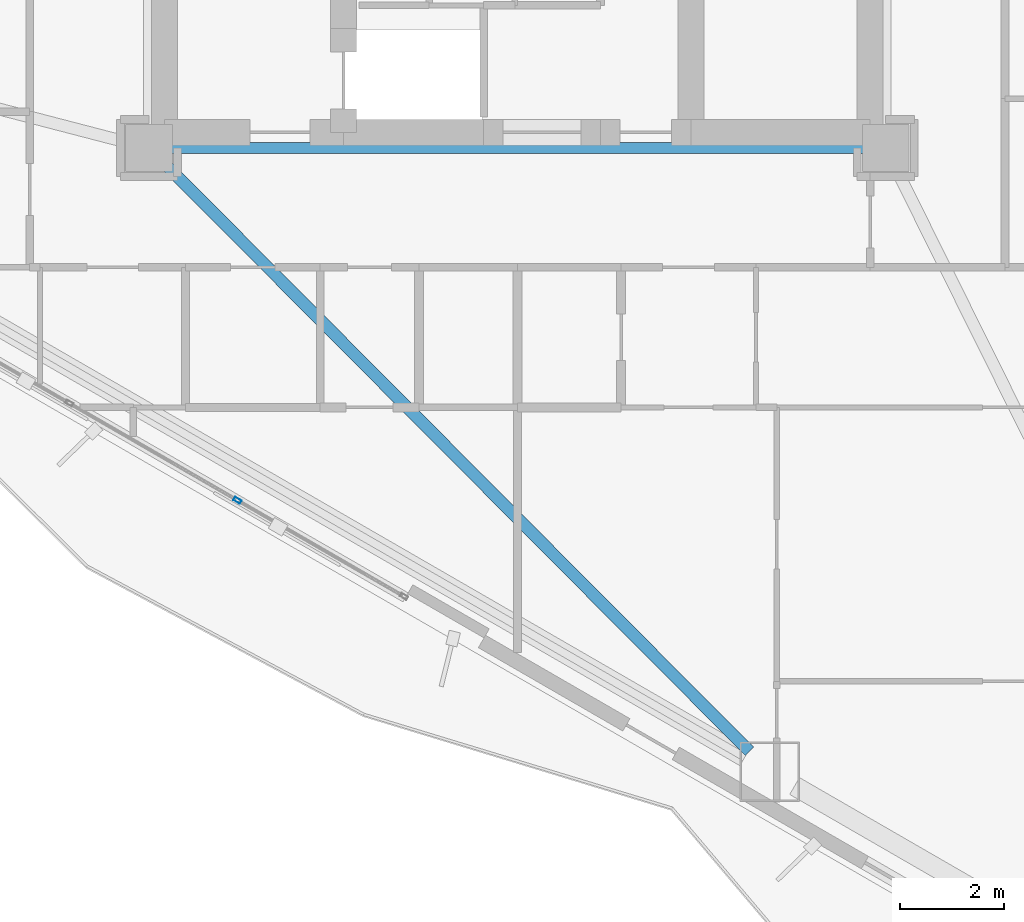
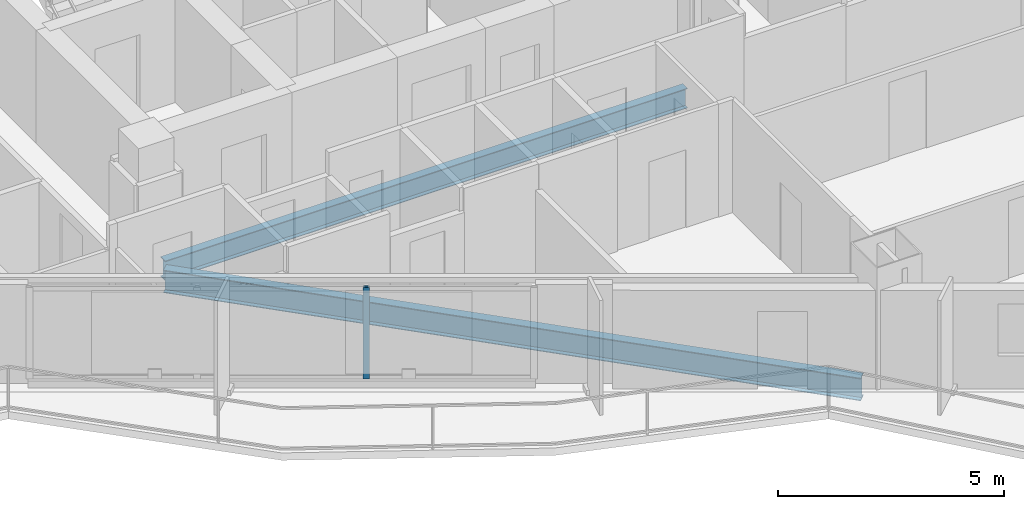
# One storey, part 4 of 23: 2 beams, 1 member, 1 element without a shape of its own.
"""IFC4 building model written with IfcOpenShell, lengths in metres."""

from ifc_helpers import new_model, si_unit, direction, frame, origin, origin_2d, place, context, subcontext, project, spatial, hollow_rectangle, i_section, extrude, material, layer, layer_set, material_profile, profile_set, type_object, element, aggregate, save


model = new_model("IFC4")

# Units and contexts
model_context = context("Model", 3, precision=1e-05, world=origin(), true_north=direction((0.0, 1.0)))
body_context = subcontext(model_context, "Body", "Model", "MODEL_VIEW")
ifc_project = project(units=[si_unit("LENGTHUNIT", "METRE"), si_unit("AREAUNIT", "SQUARE_METRE"), si_unit("VOLUMEUNIT", "CUBIC_METRE"), si_unit("PLANEANGLEUNIT", "RADIAN"), si_unit("MASSUNIT", "GRAM", prefix="KILO")], contexts=[model_context])

# Site, building, storey
site_placement = place(None, origin())
site = spatial("IfcSite", under=ifc_project, at=site_placement, CompositionType="ELEMENT")
building_placement = place(site_placement, origin())
building = spatial("IfcBuilding", under=site, at=building_placement, Name="Mersakhor Tower and Convention Hall", CompositionType="ELEMENT")
storey_placement = place(building_placement, frame((0.0, 0.0, 80.10009765625)))
storey = spatial("IfcBuildingStorey", under=building, at=storey_placement, Name="L21", CompositionType="ELEMENT", Elevation=80.10009765625)

# Beams
ifc_material_1 = material(Name="Steel S355", Category="steel")
ifc_material_profile_1 = material_profile(ifc_material_1, i_section(OverallWidth=0.2099609375, OverallDepth=0.53662109375, WebThickness=0.0107421875, FlangeThickness=0.017333984375, at=origin_2d()), Name="UB 533x210x101")
ifc_profile_set_1 = profile_set([ifc_material_profile_1], Name="Steel S355")
beam_type_1 = type_object("IfcBeamType", Name="BM-FB-533", PredefinedType="BEAM", material=ifc_profile_set_1)
beam_1_placement = place(storey_placement, frame((35.669921875, 20.449951171875, -0.5185546875), z_axis=(-1.0, 0.0, 0.0), x_axis=(0.0, -1.0, 0.0)))
element("IfcBeam", 1, at=beam_1_placement, inside=storey, type_object=beam_type_1, Name="L21 Core Ring Tie Beam CRB-4", PredefinedType="BEAM", context=body_context, shape_type="SweptSolid", body=[
    extrude(i_section(OverallWidth=0.2099609375, OverallDepth=0.53662109375, WebThickness=0.0107421875, FlangeThickness=0.017333984375, at=origin_2d()), origin(), (0.0, 0.0, 1.0), 13.33984375),
])
ifc_material_2 = material(Name="Steel S355", Category="steel")
ifc_material_profile_2 = material_profile(ifc_material_2, i_section(OverallWidth=0.22900390625, OverallDepth=0.6123046875, WebThickness=0.011962890625, FlangeThickness=0.01953125, at=origin_2d()), Name="UB 610x229x125")
ifc_profile_set_2 = profile_set([ifc_material_profile_2], Name="Steel S355")
beam_type_2 = type_object("IfcBeamType", Name="BM-PR-610", PredefinedType="BEAM", material=ifc_profile_set_2)
beam_2_placement = place(storey_placement, frame((22.203369140625, 20.145263671875, -0.55615234375), z_axis=(0.705400603107, -0.708808852327, 0.0), x_axis=(0.708808852327, 0.705400603107, 0.0)))
element("IfcBeam", 2, at=beam_2_placement, inside=storey, type_object=beam_type_2, Name="L21 Primary Floor Girder FG-5", PredefinedType="BEAM", context=body_context, shape_type="SweptSolid", body=[
    extrude(i_section(OverallWidth=0.22900390625, OverallDepth=0.6123046875, WebThickness=0.011962890625, FlangeThickness=0.01953125, at=origin_2d()), origin(), (0.0, 0.0, 1.0), 15.973876953125),
])

# Curtain wall, member
ifc_material_3 = material(Name="Dark solar low-E aluminium curtain wall", Category="aluminium")
ifc_layer = layer(ifc_material_3, 0.159912109375)
ifc_layer_set = layer_set([ifc_layer], Name="Dark solar low-E aluminium curtain wall")
curtain_wall_type = type_object("IfcCurtainWallType", Name="CW-SYS-01", PredefinedType="USERDEFINED", material=ifc_layer_set)
curtain_wall_placement = place(storey_placement, origin())
curtain_wall = element("IfcCurtainWall", 3, at=curtain_wall_placement, inside=storey, type_object=curtain_wall_type, Name="L21 Dark-Glass Curtain Wall F3-B2", ObjectType="CURTAIN WALL", PredefinedType="USERDEFINED")
ifc_material_4 = material(Name="Anodised aluminium EN AW-6063 T6", Category="aluminium")
ifc_material_profile_3 = material_profile(ifc_material_4, hollow_rectangle(XDim=0.074951171875, YDim=0.14990234375, WallThickness=0.00634765625, at=origin_2d()), Name="RHS 150x75x6.3")
ifc_profile_set_3 = profile_set([ifc_material_profile_3], Name="Anodised aluminium EN AW-6063 T6")
member_type = type_object("IfcMemberType", Name="CWM-150x75", PredefinedType="MULLION", material=ifc_profile_set_3)
member_placement = place(storey_placement, frame((23.603515625, 13.659912109375, 0.199951171875), z_axis=(0.0, 0.0, 1.0), x_axis=(-0.499997904985, -0.866026613339, 0.0)))
member = element("IfcMember", 4, at=member_placement, type_object=member_type, Name="CW-01 mullion 2", PredefinedType="MULLION", context=body_context, shape_type="SweptSolid", body=[
    extrude(hollow_rectangle(XDim=0.074951171875, YDim=0.14990234375, WallThickness=0.00634765625, at=origin_2d()), origin(), (0.0, 0.0, 1.0), 2.469970703125),
])
aggregate(curtain_wall, [member])

save(model, "model.ifc")
